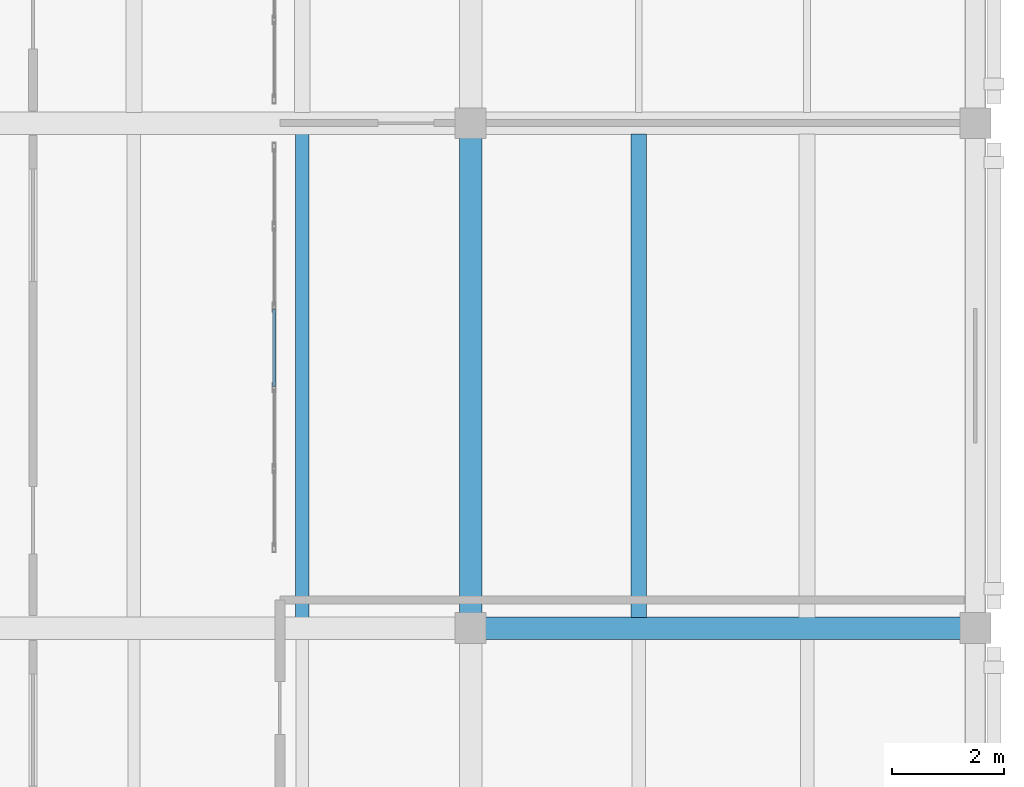
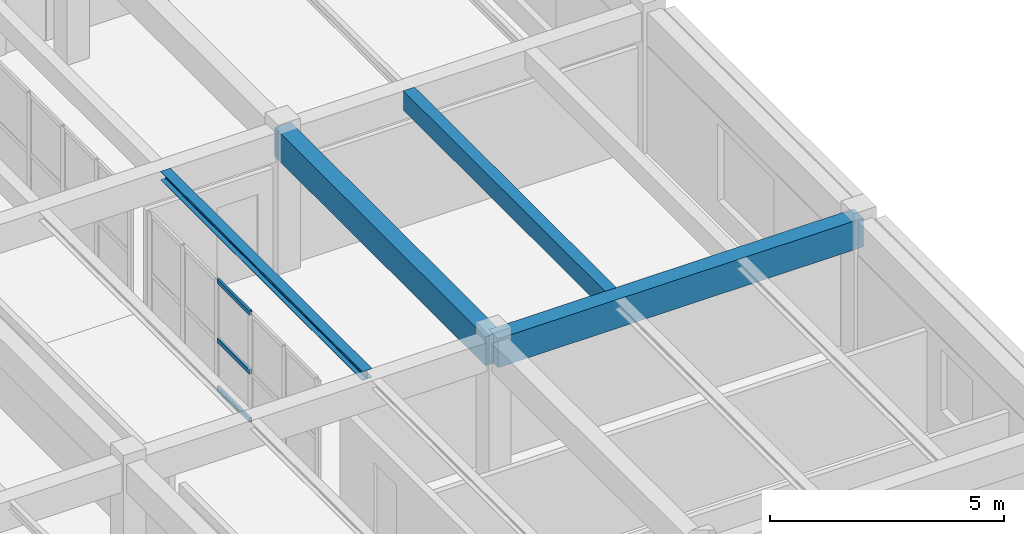
# One storey, part 82 of 156: 4 beams, 3 members, 1 element without a shape of its own.
"""IFC4 building model written with IfcOpenShell, lengths in metres."""

import ifcopenshell
import ifcopenshell.guid

model = None  # the IFC model being written
_history = None  # IfcOwnerHistory: only IFC2X3 demands one
_inside = {}  # id of a spatial element -> (the spatial element, [elements in it])
_under = {}  # id of a project, library or spatial element -> (it, [spatial elements below it])
_declared = {}  # id of a project -> (the project, [libraries it declares])
_typed = {}  # id of a type object -> (the type object, [elements of that type])
_made_of = {}  # id of a material, layer set ... -> (it, [elements and type objects made of it])


def new_model(schema):
    """Start an empty IFC model of exactly this schema.

    Asked for "IFC4X3", IfcOpenShell would pick the latest addendum, in which some entities
    have other attributes; the version numbers below select the first issue.
    IFC2X3 requires an IfcOwnerHistory on every rooted entity: one is made here for all.
    """
    global model, _history
    if schema == "IFC4X3":
        model = ifcopenshell.file(schema_version=(4, 3, 0, 0))
    else:
        model = ifcopenshell.file(schema=schema)
    _inside.clear()
    _under.clear()
    _declared.clear()
    _typed.clear()
    _made_of.clear()
    _history = None
    if model.schema == "IFC2X3":
        org = make("IfcOrganization", Name="unknown")
        user = make(
            "IfcPersonAndOrganization",
            ThePerson=make("IfcPerson", FamilyName="unknown"),
            TheOrganization=org,
        )
        app = make(
            "IfcApplication",
            ApplicationDeveloper=org,
            Version="unknown",
            ApplicationFullName="unknown",
            ApplicationIdentifier="unknown",
        )
        _history = make(
            "IfcOwnerHistory",
            OwningUser=user,
            OwningApplication=app,
            ChangeAction="ADDED",
            CreationDate=0,
        )
    return model


def make(cls, **values):
    """One entity of the class cls with the attributes given. An attribute that is None is left unset."""
    return model.create_entity(
        cls, **{name: value for name, value in values.items() if value is not None}
    )


def rooted(cls, **values):
    """An entity with a GlobalId (a new one), such as an element, a storey or a relation."""
    return make(cls, GlobalId=ifcopenshell.guid.new(), OwnerHistory=_history, **values)


def si_unit(unit_type, name, prefix=None):
    """IfcSIUnit, for example si_unit("LENGTHUNIT", "METRE", prefix="MILLI")."""
    return make("IfcSIUnit", UnitType=unit_type, Prefix=prefix, Name=name)


def assignment(units):
    """IfcUnitAssignment: the units of a project."""
    return None if units is None else make("IfcUnitAssignment", Units=units)


def point(xyz):
    """IfcCartesianPoint."""
    return None if xyz is None else make("IfcCartesianPoint", Coordinates=xyz)


def direction(xyz):
    """IfcDirection."""
    return None if xyz is None else make("IfcDirection", DirectionRatios=xyz)


def frame(location, z_axis=None, x_axis=None):
    """IfcAxis2Placement3D, a coordinate frame: its origin and axes. An axis left out is left unset."""
    return make(
        "IfcAxis2Placement3D",
        Location=point(location),
        Axis=direction(z_axis),
        RefDirection=direction(x_axis),
    )


def frame_2d(location, x_axis=None):
    """IfcAxis2Placement2D, a coordinate frame in the plane: its origin and x axis."""
    return make(
        "IfcAxis2Placement2D", Location=point(location), RefDirection=direction(x_axis)
    )


def origin():
    """The frame at (0, 0, 0) with its axes left unset."""
    return frame((0.0, 0.0, 0.0))


def origin_2d():
    """The frame at (0, 0) in the plane with its x axis left unset."""
    return frame_2d((0.0, 0.0))


def place(relative_to, where):
    """IfcLocalPlacement: puts the frame where relative to a parent placement (None: the world)."""
    return make(
        "IfcLocalPlacement", PlacementRelTo=relative_to, RelativePlacement=where
    )


def context(
    kind, dimensions, precision=None, world=None, true_north=None, identifier=None
):
    """IfcGeometricRepresentationContext, for example the 3D "Model" context."""
    return make(
        "IfcGeometricRepresentationContext",
        ContextIdentifier=identifier,
        ContextType=kind,
        CoordinateSpaceDimension=dimensions,
        Precision=precision,
        WorldCoordinateSystem=world,
        TrueNorth=true_north,
    )


def subcontext(parent, identifier, kind, view, scale=None):
    """IfcGeometricRepresentationSubContext, for example "Body" below "Model"."""
    return make(
        "IfcGeometricRepresentationSubContext",
        ContextIdentifier=identifier,
        ContextType=kind,
        ParentContext=parent,
        TargetScale=scale,
        TargetView=view,
    )


def project(units=None, contexts=None):
    """IfcProject with its units and contexts."""
    return rooted(
        "IfcProject",
        Name="project",
        RepresentationContexts=contexts,
        UnitsInContext=assignment(units),
    )


def spatial(cls, under=None, at=None, **own):
    """A site, building, storey or space (cls), placed at a placement, below another one or the project."""
    s = rooted(cls, ObjectPlacement=at, **own)
    if under is not None:
        _under.setdefault(under.id(), (under, []))[1].append(s)
    return s


def profile(cls, at=None, kind="AREA", **sizes):
    """A parametric profile (cls). Its sizes go by their IFC names, for example OverallWidth=200.0."""
    return make(cls, ProfileType=kind, Position=at, **sizes)


def rectangle(**sizes):
    """IfcRectangleProfileDef."""
    return profile("IfcRectangleProfileDef", **sizes)


def hollow_rectangle(**sizes):
    """IfcRectangleHollowProfileDef."""
    return profile("IfcRectangleHollowProfileDef", **sizes)


def i_section(**sizes):
    """IfcIShapeProfileDef."""
    return profile("IfcIShapeProfileDef", **sizes)


def extrude(swept, where, along, depth):
    """IfcExtrudedAreaSolid: the profile swept, set in the frame where, extruded along a direction by depth."""
    return make(
        "IfcExtrudedAreaSolid",
        SweptArea=swept,
        Position=where,
        ExtrudedDirection=direction(along),
        Depth=depth,
    )


def shape(context_of_items, identifier, shape_type, items):
    """IfcShapeRepresentation: the items that make up one representation, for example the "Body"."""
    return make(
        "IfcShapeRepresentation",
        ContextOfItems=context_of_items,
        RepresentationIdentifier=identifier,
        RepresentationType=shape_type,
        Items=items,
    )


def material(Name=None, Category=None):
    """IfcMaterial."""
    return make("IfcMaterial", Name=Name, Category=Category)


def layer(
    of_material, thickness, ventilated=None, Name=None, Category=None, Priority=None
):
    """IfcMaterialLayer: one layer of a wall or slab, of a material (None: an air gap)."""
    return make(
        "IfcMaterialLayer",
        Material=of_material,
        LayerThickness=thickness,
        IsVentilated=ventilated,
        Name=Name,
        Category=Category,
        Priority=Priority,
    )


def layer_set(layers, Name=None):
    """IfcMaterialLayerSet."""
    return make("IfcMaterialLayerSet", MaterialLayers=layers, LayerSetName=Name)


def material_profile(
    of_material, cross_section, Name=None, Category=None, Priority=None
):
    """IfcMaterialProfile: a cross section and its material."""
    return make(
        "IfcMaterialProfile",
        Name=Name,
        Material=of_material,
        Profile=cross_section,
        Priority=Priority,
        Category=Category,
    )


def profile_set(profiles, Name=None, composite=None):
    """IfcMaterialProfileSet."""
    return make(
        "IfcMaterialProfileSet",
        Name=Name,
        MaterialProfiles=profiles,
        CompositeProfile=composite,
    )


def made_of(thing, what):
    """Note that an element or type object is made of a material, layer set ...; save() writes the relation."""
    if what is not None:
        _made_of.setdefault(what.id(), (what, []))[1].append(thing)
    return thing


def type_object(cls, material=None, **own):
    """A type object (cls), such as IfcWallType, which elements share."""
    return made_of(rooted(cls, **own), material)


def element(
    cls,
    number,
    at=None,
    inside=None,
    cuts=None,
    type_object=None,
    material=None,
    context=None,
    identifier="Body",
    shape_type=None,
    held_by="IfcProductDefinitionShape",
    body=None,
    shapes=None,
    **own,
):
    """One element of the class cls, such as IfcWall. Its Tag is "e" and its number.

    at: its placement. inside: the storey or other place that contains it. cuts: it is an
    opening in that element (IfcRelVoidsElement). A single representation is given by context,
    identifier, shape_type and body (its items); several are given by shapes. held_by: the class
    of the entity that holds the representations. save() writes the other relations.
    """
    e = rooted(cls, Tag="e%d" % number, ObjectPlacement=at, **own)
    if body is not None:
        shapes = [shape(context, identifier, shape_type, body)]
    if shapes is not None:
        e.Representation = make(held_by, Representations=shapes)
    if inside is not None:
        _inside.setdefault(inside.id(), (inside, []))[1].append(e)
    if cuts is not None:
        rooted(
            "IfcRelVoidsElement", RelatingBuildingElement=cuts, RelatedOpeningElement=e
        )
    if type_object is not None:
        _typed.setdefault(type_object.id(), (type_object, []))[1].append(e)
    return made_of(e, material)


def aggregate(whole, parts):
    """IfcRelAggregates: a whole, such as a stair, and the parts it consists of."""
    return rooted("IfcRelAggregates", RelatingObject=whole, RelatedObjects=parts)


def save(model, path):
    """Write the relations noted so far, then the file.

    IfcRelAggregates (storeys below a building ...), IfcRelContainedInSpatialStructure (elements
    in a storey), IfcRelDefinesByType, IfcRelAssociatesMaterial and IfcRelDeclares: one each for
    every whole, place, type object, material and project.
    """
    for whole, parts in _under.values():
        aggregate(whole, parts)
    for where, things in _inside.values():
        rooted(
            "IfcRelContainedInSpatialStructure",
            RelatedElements=things,
            RelatingStructure=where,
        )
    for kind, things in _typed.values():
        rooted("IfcRelDefinesByType", RelatedObjects=things, RelatingType=kind)
    for what, things in _made_of.values():
        rooted("IfcRelAssociatesMaterial", RelatedObjects=things, RelatingMaterial=what)
    for by, libraries in _declared.values():
        rooted("IfcRelDeclares", RelatingContext=by, RelatedDefinitions=libraries)
    model.write(path)


model = new_model("IFC4")

# Units and contexts
model_context = context("Model", 3, precision=1e-05, world=origin(), true_north=direction((0.0, 1.0)))
body_context = subcontext(model_context, "Body", "Model", "MODEL_VIEW")
ifc_project = project(units=[si_unit("LENGTHUNIT", "METRE"), si_unit("AREAUNIT", "SQUARE_METRE"), si_unit("VOLUMEUNIT", "CUBIC_METRE"), si_unit("PLANEANGLEUNIT", "RADIAN"), si_unit("MASSUNIT", "GRAM", prefix="KILO")], contexts=[model_context])

# Site, building, storey
site_placement = place(None, origin())
site = spatial("IfcSite", under=ifc_project, at=site_placement, CompositionType="ELEMENT")
building_placement = place(site_placement, origin())
building = spatial("IfcBuilding", under=site, at=building_placement, Name="Ornek Quay Market", CompositionType="ELEMENT")
storey_placement = place(building_placement, frame((0.0, 0.0, 4.5)))
storey = spatial("IfcBuildingStorey", under=building, at=storey_placement, Name="L01", CompositionType="ELEMENT", Elevation=4.5)

# Beams
ifc_material_1 = material(Name="Concrete C35/45", Category="concrete")
ifc_material_profile_1 = material_profile(ifc_material_1, rectangle(XDim=0.39990234375, YDim=0.75, at=origin_2d()), Name="RC 400x750", Category="concrete")
ifc_profile_set_1 = profile_set([ifc_material_profile_1], Name="Concrete C35/45")
beam_type_1 = type_object("IfcBeamType", Name="BM-CS-400x750", PredefinedType="BEAM", material=ifc_profile_set_1)
for number, where, z_axis, x_axis, name in (
    (1, (171.0, 29.0, 3.27490234375), (1.0, 0.0, 0.0), (0.0, 1.0, 0.0), "Primary beam B-CS1-033"),
    (2, (171.0, 29.0, 3.27490234375), (0.0, 1.0, 0.0), (-1.0, 0.0, 0.0), "Primary beam B-CS1-050"),
):
    element("IfcBeam", number, at=place(storey_placement, frame(where, z_axis=z_axis, x_axis=x_axis)), inside=storey, type_object=beam_type_1, Name=name, PredefinedType="BEAM", context=body_context, shape_type="SweptSolid", body=[
        extrude(rectangle(XDim=0.39990234375, YDim=0.75, at=origin_2d()), origin(), (0.0, 0.0, 1.0), 9.0),
    ])
ifc_material_profile_2 = material_profile(ifc_material_1, rectangle(XDim=0.280029296875, YDim=0.5, at=origin_2d()), Name="RC 280x500", Category="concrete")
ifc_profile_set_2 = profile_set([ifc_material_profile_2], Name="Concrete C35/45")
beam_type_2 = type_object("IfcBeamType", Name="BM-SEC-280x500", PredefinedType="JOIST", material=ifc_profile_set_2)
beam_1_placement = place(storey_placement, frame((174.0, 29.19189453125, 3.39990234375), z_axis=(0.0, 1.0, 0.0), x_axis=(-1.0, 0.0, 0.0)))
element("IfcBeam", 3, at=beam_1_placement, inside=storey, type_object=beam_type_2, Name="Secondary joist B-SC2-089", PredefinedType="JOIST", context=body_context, shape_type="SweptSolid", body=[
    extrude(rectangle(XDim=0.280029296875, YDim=0.5, at=origin_2d()), origin(), (0.0, 0.0, 1.0), 8.6162109375),
])
ifc_material_2 = material(Name="Steel S355", Category="steel")
ifc_material_profile_3 = material_profile(ifc_material_2, i_section(OverallWidth=0.239990234375, OverallDepth=0.22998046875, WebThickness=0.007568359375, FlangeThickness=0.011962890625, FilletRadius=0.02099609375, at=origin_2d()), Name="HEA 240", Category="steel")
ifc_profile_set_3 = profile_set([ifc_material_profile_3], Name="Steel S355")
beam_type_3 = type_object("IfcBeamType", Name="BM-STL-HEA240", PredefinedType="BEAM", material=ifc_profile_set_3)
beam_2_placement = place(storey_placement, frame((168.0, 29.19189453125, 3.534912109375), z_axis=(0.0, 1.0, 0.0), x_axis=(-1.0, 0.0, 0.0)))
element("IfcBeam", 4, at=beam_2_placement, inside=storey, type_object=beam_type_3, Name="Secondary joist SB-14-026", PredefinedType="BEAM", context=body_context, shape_type="SweptSolid", body=[
    extrude(i_section(OverallWidth=0.239990234375, OverallDepth=0.22998046875, WebThickness=0.007568359375, FlangeThickness=0.011962890625, FilletRadius=0.02099609375, at=origin_2d()), origin(), (0.0, 0.0, 1.0), 8.6162109375),
])

# Curtain wall, members
ifc_material_3 = material(Name="Anodised bronze aluminium and triple low-e glass", Category="aluminium")
ifc_layer = layer(ifc_material_3, 0.139892578125, Name="Anodised bronze aluminium and triple low-e glass", Category="aluminium")
ifc_layer_set = layer_set([ifc_layer], Name="Anodised bronze aluminium and triple low-e glass")
curtain_wall_type = type_object("IfcCurtainWallType", Name="CW-GALLERY-INT", PredefinedType="USERDEFINED", material=ifc_layer_set)
curtain_wall_placement = place(storey_placement, origin())
curtain_wall = element("IfcCurtainWall", 5, at=curtain_wall_placement, inside=storey, type_object=curtain_wall_type, Name="Curtain wall CW-163", ObjectType="CURTAIN WALL", PredefinedType="USERDEFINED")
ifc_material_4 = material(Name="Anodised aluminium 6063-T6", Category="aluminium")
ifc_material_profile_4 = material_profile(ifc_material_4, hollow_rectangle(XDim=0.06005859375, YDim=0.1201171875, WallThickness=0.00390625, at=origin_2d()), Name="CW-TRN-60x120", Category="aluminium")
ifc_profile_set_4 = profile_set([ifc_material_profile_4], Name="Anodised aluminium 6063-T6")
member_type = type_object("IfcMemberType", Name="CW-TRN-60x120", PredefinedType="USERDEFINED", material=ifc_profile_set_4)
member_1_placement = place(storey_placement, frame((167.5, 33.31005859375, 0.030029296875), z_axis=(0.0, 1.0, 0.0), x_axis=(-1.0, 0.0, 0.0)))
member_1 = element("IfcMember", 6, at=member_1_placement, type_object=member_type, Name="CW-163 transom 3.1", ObjectType="TRANSOM", PredefinedType="USERDEFINED", context=body_context, shape_type="SweptSolid", body=[
    extrude(hollow_rectangle(XDim=0.06005859375, YDim=0.1201171875, WallThickness=0.00390625, at=origin_2d()), origin(), (0.0, 0.0, 1.0), 1.3798828125),
])
member_2_placement = place(storey_placement, frame((167.5, 33.31005859375, 1.282470703125), z_axis=(0.0, 1.0, 0.0), x_axis=(-1.0, 0.0, 0.0)))
member_2 = element("IfcMember", 7, at=member_2_placement, type_object=member_type, Name="CW-163 transom 3.2", ObjectType="TRANSOM", PredefinedType="USERDEFINED", context=body_context, shape_type="SweptSolid", body=[
    extrude(hollow_rectangle(XDim=0.06005859375, YDim=0.1201171875, WallThickness=0.00390625, at=origin_2d()), origin(), (0.0, 0.0, 1.0), 1.3798828125),
])
member_3_placement = place(storey_placement, frame((167.5, 33.31005859375, 2.820068359375), z_axis=(0.0, 1.0, 0.0), x_axis=(-1.0, 0.0, 0.0)))
member_3 = element("IfcMember", 8, at=member_3_placement, type_object=member_type, Name="CW-163 transom 3.3", ObjectType="TRANSOM", PredefinedType="USERDEFINED", context=body_context, shape_type="SweptSolid", body=[
    extrude(hollow_rectangle(XDim=0.06005859375, YDim=0.1201171875, WallThickness=0.00390625, at=origin_2d()), origin(), (0.0, 0.0, 1.0), 1.3798828125),
])
aggregate(curtain_wall, [member_1, member_2, member_3])

save(model, "model.ifc")
